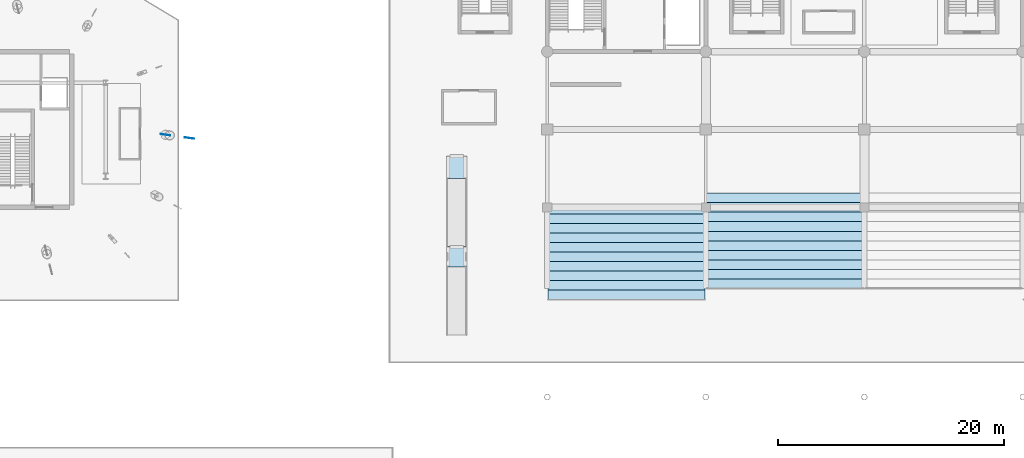
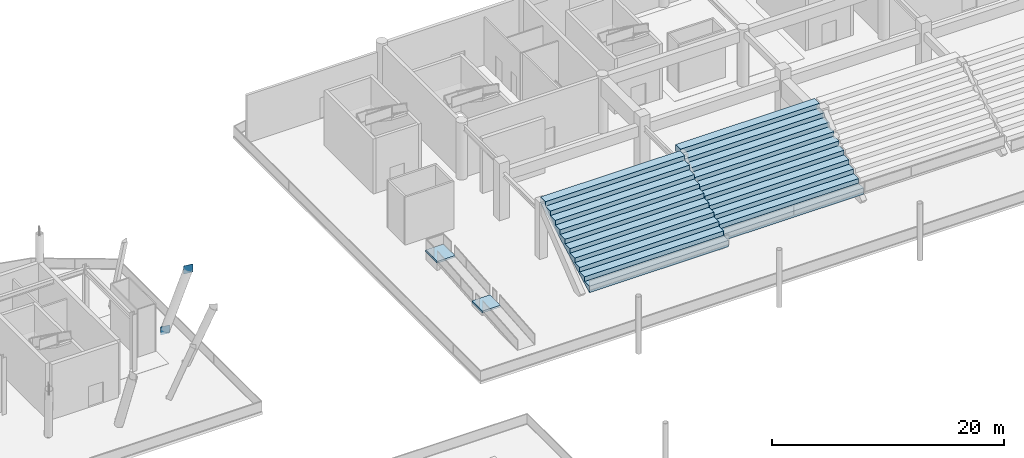
# One storey, part 29 of 73: 4 slabs, 2 plates, 1 element without a shape of its own.
"""IFC4 building model written with IfcOpenShell, lengths in metres."""

from ifc_helpers import new_model, si_unit, direction, frame, origin, origin_2d, place, context, subcontext, project, spatial, polyline, rectangle, outline, extrude, material, layer, layer_set, type_object, element, aggregate, save


model = new_model("IFC4")

# Units and contexts
model_context = context("Model", 3, precision=1e-05, world=origin(), true_north=direction((0.0, 1.0)))
body_context = subcontext(model_context, "Body", "Model", "MODEL_VIEW")
ifc_project = project(units=[si_unit("LENGTHUNIT", "METRE"), si_unit("AREAUNIT", "SQUARE_METRE"), si_unit("VOLUMEUNIT", "CUBIC_METRE"), si_unit("PLANEANGLEUNIT", "RADIAN"), si_unit("MASSUNIT", "GRAM", prefix="KILO")], contexts=[model_context])

# Site, building, storey
site_placement = place(None, origin())
site = spatial("IfcSite", under=ifc_project, at=site_placement, CompositionType="ELEMENT")
building_placement = place(site_placement, origin())
building = spatial("IfcBuilding", under=site, at=building_placement, Name="Linyun Crest Stadium", CompositionType="ELEMENT")
storey_placement = place(building_placement, origin())
storey = spatial("IfcBuildingStorey", under=building, at=storey_placement, Name="L01", CompositionType="ELEMENT", Elevation=0.0)

# Plates
ifc_material_1 = material(Name="Steel Q420C", Category="steel")
ifc_layer_1 = layer(ifc_material_1, 0.028076171875)
ifc_layer_set_1 = layer_set([ifc_layer_1], Name="Steel Q420C")
plate_type = type_object("IfcPlateType", Name="EP03", PredefinedType="USERDEFINED", material=ifc_layer_set_1)
for number, where, z_axis, x_axis, name in (
    (1, (-61.72412109375, 84.160888671875, -0.281494140625), (0.0, 0.0, 1.0), (0.990533436751, -0.137271667431, 0.0), "Hollow section cap end plate EP03 344"),
    (2, (-59.60302734375, 83.866943359375, 5.571533203125), (0.0, 0.0, 1.0), (0.990533436751, -0.137271667431, 0.0), "Hollow section cap end plate EP03 345"),
):
    element("IfcPlate", number, at=place(storey_placement, frame(where, z_axis=z_axis, x_axis=x_axis)), inside=storey, type_object=plate_type, Name=name, ObjectType="END PLATE", PredefinedType="USERDEFINED", context=body_context, shape_type="SweptSolid", body=[
        extrude(rectangle(XDim=0.85302734375, YDim=0.028076171875, at=origin_2d()), origin(), (0.0, 0.0, 1.0), 0.85302734375),
    ])

# Ramp, slabs
ifc_material_2 = material(Name="Concrete C40", Category="concrete")
ramp_type = type_object("IfcRampType", Name="RMP01", PredefinedType="HALF_TURN_RAMP", material=ifc_material_2)
ramp_placement = place(storey_placement, origin())
ramp = element("IfcRamp", 3, at=ramp_placement, inside=storey, type_object=ramp_type, Name="Accessible pedestrian ramp RMP-07", PredefinedType="HALF_TURN_RAMP")
ifc_material_3 = material(Name="Concrete C40", Category="concrete")
ifc_layer_2 = layer(ifc_material_3, 0.199951171875)
ifc_layer_set_2 = layer_set([ifc_layer_2], Name="Concrete C40")
slab_type_1 = type_object("IfcSlabType", Name="LS02", PredefinedType="LANDING", material=ifc_layer_set_2)
slab_1_placement = place(storey_placement, frame((0.0, 0.0, 0.300048828125)))
slab_1 = element("IfcSlab", 4, at=slab_1_placement, type_object=slab_type_1, Name="RMP-07 mid-landing", PredefinedType="LANDING", context=body_context, shape_type="SweptSolid", body=[
    extrude(outline(polyline([(-36.89990234375, 72.5), (-35.10009765625, 72.5), (-35.10009765625, 74.300048828125), (-36.89990234375, 74.300048828125), (-36.89990234375, 72.5)])), origin(), (0.0, 0.0, 1.0), 0.199951171875),
])
slab_2_placement = place(storey_placement, frame((0.0, 0.0, 0.800048828125)))
slab_2 = element("IfcSlab", 5, at=slab_2_placement, type_object=slab_type_1, Name="RMP-07 top-landing", PredefinedType="LANDING", context=body_context, shape_type="SweptSolid", body=[
    extrude(outline(polyline([(-36.89990234375, 80.300048828125), (-35.10009765625, 80.300048828125), (-35.10009765625, 82.300048828125), (-36.89990234375, 82.300048828125), (-36.89990234375, 80.300048828125)])), origin(), (0.0, 0.0, 1.0), 0.199951171875),
])
aggregate(ramp, [slab_1, slab_2])

# Slabs
ifc_material_4 = material(Name="Precast concrete C50", Category="concrete")
ifc_layer_3 = layer(ifc_material_4, 0.18994140625)
ifc_layer_set_3 = layer_set([ifc_layer_3], Name="Precast concrete C50")
slab_type_2 = type_object("IfcSlabType", Name="ST03", PredefinedType="USERDEFINED", material=ifc_layer_set_3)
for number, where, z_axis, x_axis, name in (
    (6, (-27.919921875, 69.60009765625, 1.25), (0.0, 0.0, 1.0), (0.0, 1.0, 0.0), "Precast seating tier ST03 V3 57"),
    (7, (-13.919921875, 70.60009765625, 1.25), (0.0, 0.0, 1.0), (0.0, 1.0, 0.0), "Precast seating tier ST03 V3 64"),
):
    element("IfcSlab", number, at=place(storey_placement, frame(where, z_axis=z_axis, x_axis=x_axis)), inside=storey, type_object=slab_type_2, Name=name, ObjectType="SEATING TIER", PredefinedType="USERDEFINED", context=body_context, shape_type="SweptSolid", body=[
        extrude(outline(polyline([(0.0, 0.0), (0.0, 0.47998046875), (0.840087890625, 0.47998046875), (0.840087890625, 0.9599609375), (1.679931640625, 0.9599609375), (1.679931640625, 1.43994140625), (2.52001953125, 1.43994140625), (2.52001953125, 1.919921875), (3.360107421875, 1.919921875), (3.360107421875, 2.39990234375), (4.199951171875, 2.39990234375), (4.199951171875, 2.8798828125), (5.0400390625, 2.8798828125), (5.0400390625, 3.360107421875), (5.8798828125, 3.360107421875), (5.8798828125, 3.840087890625), (6.719970703125, 3.840087890625), (6.719970703125, 4.320068359375), (7.56005859375, 4.320068359375), (7.56005859375, 4.800048828125), (8.39990234375, 4.800048828125), (8.39990234375, 4.1298828125), (0.0, -0.18994140625), (0.0, 0.0)])), frame((0.0, 0.0, 0.0), z_axis=(0.0, -1.0, 0.0), x_axis=(1.0, 0.0, 0.0)), (0.0, 0.0, 1.0), 13.83984375),
    ])

save(model, "model.ifc")
